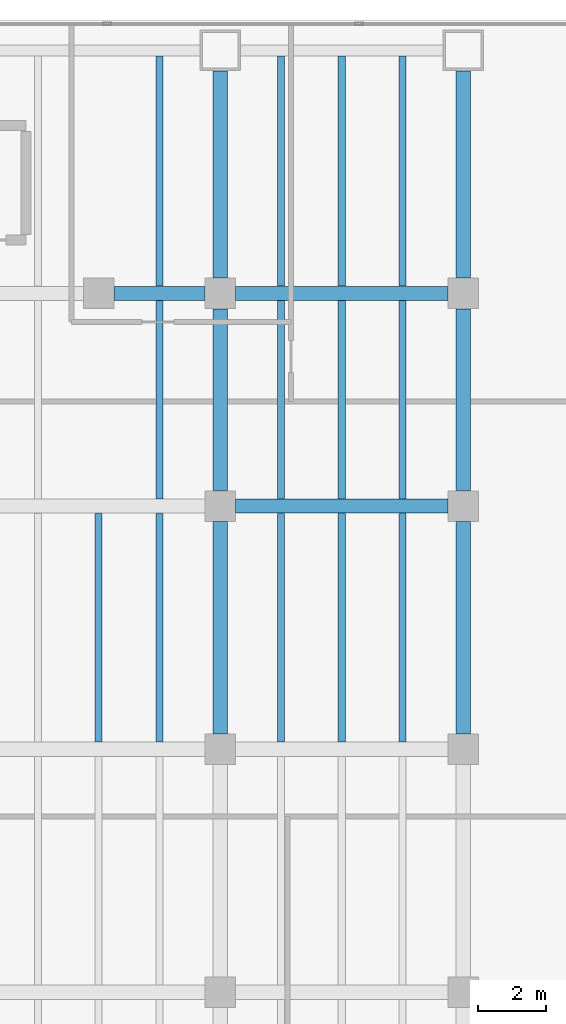
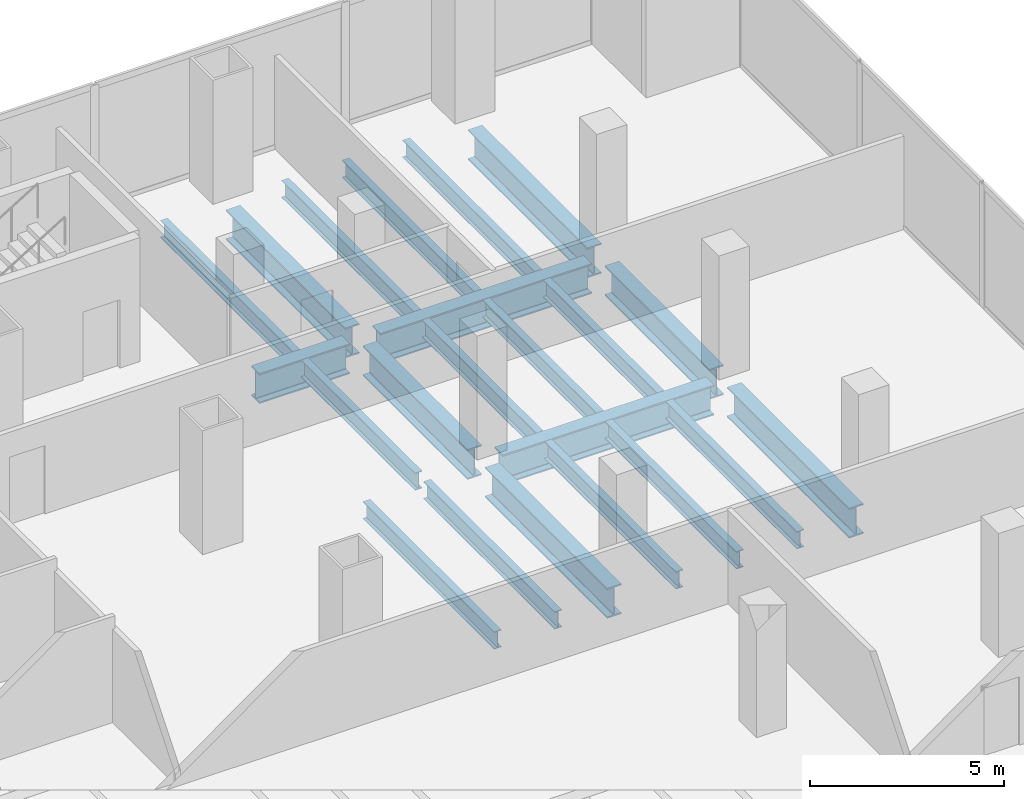
# One storey, part 14 of 34: 22 beams.
"""IFC4 building model written with IfcOpenShell, lengths in metres."""

from ifc_helpers import new_model, si_unit, direction, frame, origin, origin_2d, place, context, subcontext, project, spatial, i_section, extrude, material, material_profile, profile_set, type_object, element, save


model = new_model("IFC4")

# Units and contexts
model_context = context("Model", 3, precision=1e-05, world=origin(), true_north=direction((0.0, 1.0)))
body_context = subcontext(model_context, "Body", "Model", "MODEL_VIEW")
ifc_project = project(units=[si_unit("LENGTHUNIT", "METRE"), si_unit("AREAUNIT", "SQUARE_METRE"), si_unit("VOLUMEUNIT", "CUBIC_METRE"), si_unit("PLANEANGLEUNIT", "RADIAN"), si_unit("MASSUNIT", "GRAM", prefix="KILO")], contexts=[model_context])

# Site, building, storey
site_placement = place(None, origin())
site = spatial("IfcSite", under=ifc_project, at=site_placement, CompositionType="ELEMENT")
building_placement = place(site_placement, origin())
building = spatial("IfcBuilding", under=site, at=building_placement, Name="Cobrela Telecom Tower", CompositionType="ELEMENT")
storey_placement = place(building_placement, frame((0.0, 0.0, 5.25)))
storey = spatial("IfcBuildingStorey", under=building, at=storey_placement, Name="L01", CompositionType="ELEMENT", Elevation=5.25)

# Beams
ifc_material = material(Name="Steel ASTM A992 Grade 50", Category="steel")
ifc_material_profile_1 = material_profile(ifc_material, i_section(OverallWidth=0.424072265625, OverallDepth=0.947021484375, WebThickness=0.02392578125, FlangeThickness=0.042724609375, FilletRadius=0.02392578125, at=origin_2d()), Name="W36X302")
ifc_profile_set_1 = profile_set([ifc_material_profile_1], Name="Steel ASTM A992 Grade 50")
beam_type_1 = type_object("IfcBeamType", Name="BM-GIRD-01", PredefinedType="USERDEFINED", material=ifc_profile_set_1)
beam_1_placement = place(storey_placement, frame((36.455078125, 36.0, -0.7734375), z_axis=(1.0, 0.0, 0.0), x_axis=(0.0, 1.0, 0.0)))
element("IfcBeam", 1, at=beam_1_placement, inside=storey, type_object=beam_type_1, Name="L01 Primary Girder X39", ObjectType="GIRDER", PredefinedType="USERDEFINED", context=body_context, shape_type="SweptSolid", body=[
    extrude(i_section(OverallWidth=0.424072265625, OverallDepth=0.947021484375, WebThickness=0.02392578125, FlangeThickness=0.042724609375, FilletRadius=0.02392578125, at=origin_2d()), origin(), (0.0, 0.0, 1.0), 6.2900390625),
])
beam_2_placement = place(storey_placement, frame((32.85498046875, 42.300048828125, -0.7734375), z_axis=(1.0, 0.0, 0.0), x_axis=(0.0, 1.0, 0.0)))
element("IfcBeam", 2, at=beam_2_placement, inside=storey, type_object=beam_type_1, Name="L01 Primary Girder X44", ObjectType="GIRDER", PredefinedType="USERDEFINED", context=body_context, shape_type="SweptSolid", body=[
    extrude(i_section(OverallWidth=0.424072265625, OverallDepth=0.947021484375, WebThickness=0.02392578125, FlangeThickness=0.042724609375, FilletRadius=0.02392578125, at=origin_2d()), origin(), (0.0, 0.0, 1.0), 2.68994140625),
])
for number, where, z_axis, x_axis, name in (
    (3, (36.455078125, 42.300048828125, -0.7734375), (1.0, 0.0, 0.0), (0.0, 1.0, 0.0), "L01 Primary Girder X45"),
    (4, (36.0, 29.2548828125, -0.7734375), (0.0, 1.0, 0.0), (-1.0, 0.0, 0.0), "L01 Primary Girder Y69"),
):
    element("IfcBeam", number, at=place(storey_placement, frame(where, z_axis=z_axis, x_axis=x_axis)), inside=storey, type_object=beam_type_1, Name=name, ObjectType="GIRDER", PredefinedType="USERDEFINED", context=body_context, shape_type="SweptSolid", body=[
        extrude(i_section(OverallWidth=0.424072265625, OverallDepth=0.947021484375, WebThickness=0.02392578125, FlangeThickness=0.042724609375, FilletRadius=0.02392578125, at=origin_2d()), origin(), (0.0, 0.0, 1.0), 6.2900390625),
    ])
beam_3_placement = place(storey_placement, frame((36.0, 36.455078125, -0.7734375), z_axis=(0.0, 1.0, 0.0), x_axis=(-1.0, 0.0, 0.0)))
element("IfcBeam", 5, at=beam_3_placement, inside=storey, type_object=beam_type_1, Name="L01 Primary Girder Y70", ObjectType="GIRDER", PredefinedType="USERDEFINED", context=body_context, shape_type="SweptSolid", body=[
    extrude(i_section(OverallWidth=0.424072265625, OverallDepth=0.947021484375, WebThickness=0.02392578125, FlangeThickness=0.042724609375, FilletRadius=0.02392578125, at=origin_2d()), origin(), (0.0, 0.0, 1.0), 5.389892578125),
])
beam_4_placement = place(storey_placement, frame((36.0, 42.7548828125, -0.7734375), z_axis=(0.0, 1.0, 0.0), x_axis=(-1.0, 0.0, 0.0)))
element("IfcBeam", 6, at=beam_4_placement, inside=storey, type_object=beam_type_1, Name="L01 Primary Girder Y71", ObjectType="GIRDER", PredefinedType="USERDEFINED", context=body_context, shape_type="SweptSolid", body=[
    extrude(i_section(OverallWidth=0.424072265625, OverallDepth=0.947021484375, WebThickness=0.02392578125, FlangeThickness=0.042724609375, FilletRadius=0.02392578125, at=origin_2d()), origin(), (0.0, 0.0, 1.0), 6.14013671875),
])
beam_5_placement = place(storey_placement, frame((43.199951171875, 29.2548828125, -0.7734375), z_axis=(0.0, 1.0, 0.0), x_axis=(-1.0, 0.0, 0.0)))
element("IfcBeam", 7, at=beam_5_placement, inside=storey, type_object=beam_type_1, Name="L01 Primary Girder Y74", ObjectType="GIRDER", PredefinedType="USERDEFINED", context=body_context, shape_type="SweptSolid", body=[
    extrude(i_section(OverallWidth=0.424072265625, OverallDepth=0.947021484375, WebThickness=0.02392578125, FlangeThickness=0.042724609375, FilletRadius=0.02392578125, at=origin_2d()), origin(), (0.0, 0.0, 1.0), 6.2900390625),
])
beam_6_placement = place(storey_placement, frame((43.199951171875, 36.455078125, -0.7734375), z_axis=(0.0, 1.0, 0.0), x_axis=(-1.0, 0.0, 0.0)))
element("IfcBeam", 8, at=beam_6_placement, inside=storey, type_object=beam_type_1, Name="L01 Primary Girder Y75", ObjectType="GIRDER", PredefinedType="USERDEFINED", context=body_context, shape_type="SweptSolid", body=[
    extrude(i_section(OverallWidth=0.424072265625, OverallDepth=0.947021484375, WebThickness=0.02392578125, FlangeThickness=0.042724609375, FilletRadius=0.02392578125, at=origin_2d()), origin(), (0.0, 0.0, 1.0), 5.389892578125),
])
beam_7_placement = place(storey_placement, frame((43.199951171875, 42.7548828125, -0.7734375), z_axis=(0.0, 1.0, 0.0), x_axis=(-1.0, 0.0, 0.0)))
element("IfcBeam", 9, at=beam_7_placement, inside=storey, type_object=beam_type_1, Name="L01 Primary Girder Y76", ObjectType="GIRDER", PredefinedType="USERDEFINED", context=body_context, shape_type="SweptSolid", body=[
    extrude(i_section(OverallWidth=0.424072265625, OverallDepth=0.947021484375, WebThickness=0.02392578125, FlangeThickness=0.042724609375, FilletRadius=0.02392578125, at=origin_2d()), origin(), (0.0, 0.0, 1.0), 6.14013671875),
])
ifc_material_profile_2 = material_profile(ifc_material, i_section(OverallWidth=0.212890625, OverallDepth=0.549072265625, WebThickness=0.0146484375, FlangeThickness=0.023681640625, FilletRadius=0.013916015625, at=origin_2d()), Name="W21X93")
ifc_profile_set_2 = profile_set([ifc_material_profile_2], Name="Steel ASTM A992 Grade 50")
beam_type_2 = type_object("IfcBeamType", Name="BM-JOIST-01", PredefinedType="JOIST", material=ifc_profile_set_2)
for number, where, z_axis, x_axis, name in (
    (10, (32.39990234375, 29.01708984375, -0.574462890625), (0.0, 1.0, 0.0), (-1.0, 0.0, 0.0), "L01 Secondary Composite Floor Beam J62"),
    (11, (34.199951171875, 29.01708984375, -0.574462890625), (0.0, 1.0, 0.0), (-1.0, 0.0, 0.0), "L01 Secondary Composite Floor Beam J67"),
):
    element("IfcBeam", number, at=place(storey_placement, frame(where, z_axis=z_axis, x_axis=x_axis)), inside=storey, type_object=beam_type_2, Name=name, PredefinedType="JOIST", context=body_context, shape_type="SweptSolid", body=[
        extrude(i_section(OverallWidth=0.212890625, OverallDepth=0.549072265625, WebThickness=0.0146484375, FlangeThickness=0.023681640625, FilletRadius=0.013916015625, at=origin_2d()), origin(), (0.0, 0.0, 1.0), 6.765869140625),
    ])
beam_8_placement = place(storey_placement, frame((34.199951171875, 36.217041015625, -0.574462890625), z_axis=(0.0, 1.0, 0.0), x_axis=(-1.0, 0.0, 0.0)))
element("IfcBeam", 12, at=beam_8_placement, inside=storey, type_object=beam_type_2, Name="L01 Secondary Composite Floor Beam J68", PredefinedType="JOIST", context=body_context, shape_type="SweptSolid", body=[
    extrude(i_section(OverallWidth=0.212890625, OverallDepth=0.549072265625, WebThickness=0.0146484375, FlangeThickness=0.023681640625, FilletRadius=0.013916015625, at=origin_2d()), origin(), (0.0, 0.0, 1.0), 5.865966796875),
])
beam_9_placement = place(storey_placement, frame((34.199951171875, 42.51708984375, -0.574462890625), z_axis=(0.0, 1.0, 0.0), x_axis=(-1.0, 0.0, 0.0)))
element("IfcBeam", 13, at=beam_9_placement, inside=storey, type_object=beam_type_2, Name="L01 Secondary Composite Floor Beam J69", PredefinedType="JOIST", context=body_context, shape_type="SweptSolid", body=[
    extrude(i_section(OverallWidth=0.212890625, OverallDepth=0.549072265625, WebThickness=0.0146484375, FlangeThickness=0.023681640625, FilletRadius=0.013916015625, at=origin_2d()), origin(), (0.0, 0.0, 1.0), 6.81396484375),
])
beam_10_placement = place(storey_placement, frame((37.800048828125, 29.01708984375, -0.574462890625), z_axis=(0.0, 1.0, 0.0), x_axis=(-1.0, 0.0, 0.0)))
element("IfcBeam", 14, at=beam_10_placement, inside=storey, type_object=beam_type_2, Name="L01 Secondary Composite Floor Beam J73", PredefinedType="JOIST", context=body_context, shape_type="SweptSolid", body=[
    extrude(i_section(OverallWidth=0.212890625, OverallDepth=0.549072265625, WebThickness=0.0146484375, FlangeThickness=0.023681640625, FilletRadius=0.013916015625, at=origin_2d()), origin(), (0.0, 0.0, 1.0), 6.765869140625),
])
beam_11_placement = place(storey_placement, frame((37.800048828125, 36.217041015625, -0.574462890625), z_axis=(0.0, 1.0, 0.0), x_axis=(-1.0, 0.0, 0.0)))
element("IfcBeam", 15, at=beam_11_placement, inside=storey, type_object=beam_type_2, Name="L01 Secondary Composite Floor Beam J74", PredefinedType="JOIST", context=body_context, shape_type="SweptSolid", body=[
    extrude(i_section(OverallWidth=0.212890625, OverallDepth=0.549072265625, WebThickness=0.0146484375, FlangeThickness=0.023681640625, FilletRadius=0.013916015625, at=origin_2d()), origin(), (0.0, 0.0, 1.0), 5.865966796875),
])
beam_12_placement = place(storey_placement, frame((37.800048828125, 42.51708984375, -0.574462890625), z_axis=(0.0, 1.0, 0.0), x_axis=(-1.0, 0.0, 0.0)))
element("IfcBeam", 16, at=beam_12_placement, inside=storey, type_object=beam_type_2, Name="L01 Secondary Composite Floor Beam J75", PredefinedType="JOIST", context=body_context, shape_type="SweptSolid", body=[
    extrude(i_section(OverallWidth=0.212890625, OverallDepth=0.549072265625, WebThickness=0.0146484375, FlangeThickness=0.023681640625, FilletRadius=0.013916015625, at=origin_2d()), origin(), (0.0, 0.0, 1.0), 6.81396484375),
])
beam_13_placement = place(storey_placement, frame((39.60009765625, 29.01708984375, -0.574462890625), z_axis=(0.0, 1.0, 0.0), x_axis=(-1.0, 0.0, 0.0)))
element("IfcBeam", 17, at=beam_13_placement, inside=storey, type_object=beam_type_2, Name="L01 Secondary Composite Floor Beam J79", PredefinedType="JOIST", context=body_context, shape_type="SweptSolid", body=[
    extrude(i_section(OverallWidth=0.212890625, OverallDepth=0.549072265625, WebThickness=0.0146484375, FlangeThickness=0.023681640625, FilletRadius=0.013916015625, at=origin_2d()), origin(), (0.0, 0.0, 1.0), 6.765869140625),
])
beam_14_placement = place(storey_placement, frame((39.60009765625, 36.217041015625, -0.574462890625), z_axis=(0.0, 1.0, 0.0), x_axis=(-1.0, 0.0, 0.0)))
element("IfcBeam", 18, at=beam_14_placement, inside=storey, type_object=beam_type_2, Name="L01 Secondary Composite Floor Beam J80", PredefinedType="JOIST", context=body_context, shape_type="SweptSolid", body=[
    extrude(i_section(OverallWidth=0.212890625, OverallDepth=0.549072265625, WebThickness=0.0146484375, FlangeThickness=0.023681640625, FilletRadius=0.013916015625, at=origin_2d()), origin(), (0.0, 0.0, 1.0), 5.865966796875),
])
beam_15_placement = place(storey_placement, frame((39.60009765625, 42.51708984375, -0.574462890625), z_axis=(0.0, 1.0, 0.0), x_axis=(-1.0, 0.0, 0.0)))
element("IfcBeam", 19, at=beam_15_placement, inside=storey, type_object=beam_type_2, Name="L01 Secondary Composite Floor Beam J81", PredefinedType="JOIST", context=body_context, shape_type="SweptSolid", body=[
    extrude(i_section(OverallWidth=0.212890625, OverallDepth=0.549072265625, WebThickness=0.0146484375, FlangeThickness=0.023681640625, FilletRadius=0.013916015625, at=origin_2d()), origin(), (0.0, 0.0, 1.0), 6.81396484375),
])
beam_16_placement = place(storey_placement, frame((41.39990234375, 29.01708984375, -0.574462890625), z_axis=(0.0, 1.0, 0.0), x_axis=(-1.0, 0.0, 0.0)))
element("IfcBeam", 20, at=beam_16_placement, inside=storey, type_object=beam_type_2, Name="L01 Secondary Composite Floor Beam J85", PredefinedType="JOIST", context=body_context, shape_type="SweptSolid", body=[
    extrude(i_section(OverallWidth=0.212890625, OverallDepth=0.549072265625, WebThickness=0.0146484375, FlangeThickness=0.023681640625, FilletRadius=0.013916015625, at=origin_2d()), origin(), (0.0, 0.0, 1.0), 6.765869140625),
])
beam_17_placement = place(storey_placement, frame((41.39990234375, 36.217041015625, -0.574462890625), z_axis=(0.0, 1.0, 0.0), x_axis=(-1.0, 0.0, 0.0)))
element("IfcBeam", 21, at=beam_17_placement, inside=storey, type_object=beam_type_2, Name="L01 Secondary Composite Floor Beam J86", PredefinedType="JOIST", context=body_context, shape_type="SweptSolid", body=[
    extrude(i_section(OverallWidth=0.212890625, OverallDepth=0.549072265625, WebThickness=0.0146484375, FlangeThickness=0.023681640625, FilletRadius=0.013916015625, at=origin_2d()), origin(), (0.0, 0.0, 1.0), 5.865966796875),
])
beam_18_placement = place(storey_placement, frame((41.39990234375, 42.51708984375, -0.574462890625), z_axis=(0.0, 1.0, 0.0), x_axis=(-1.0, 0.0, 0.0)))
element("IfcBeam", 22, at=beam_18_placement, inside=storey, type_object=beam_type_2, Name="L01 Secondary Composite Floor Beam J87", PredefinedType="JOIST", context=body_context, shape_type="SweptSolid", body=[
    extrude(i_section(OverallWidth=0.212890625, OverallDepth=0.549072265625, WebThickness=0.0146484375, FlangeThickness=0.023681640625, FilletRadius=0.013916015625, at=origin_2d()), origin(), (0.0, 0.0, 1.0), 6.81396484375),
])

save(model, "model.ifc")
